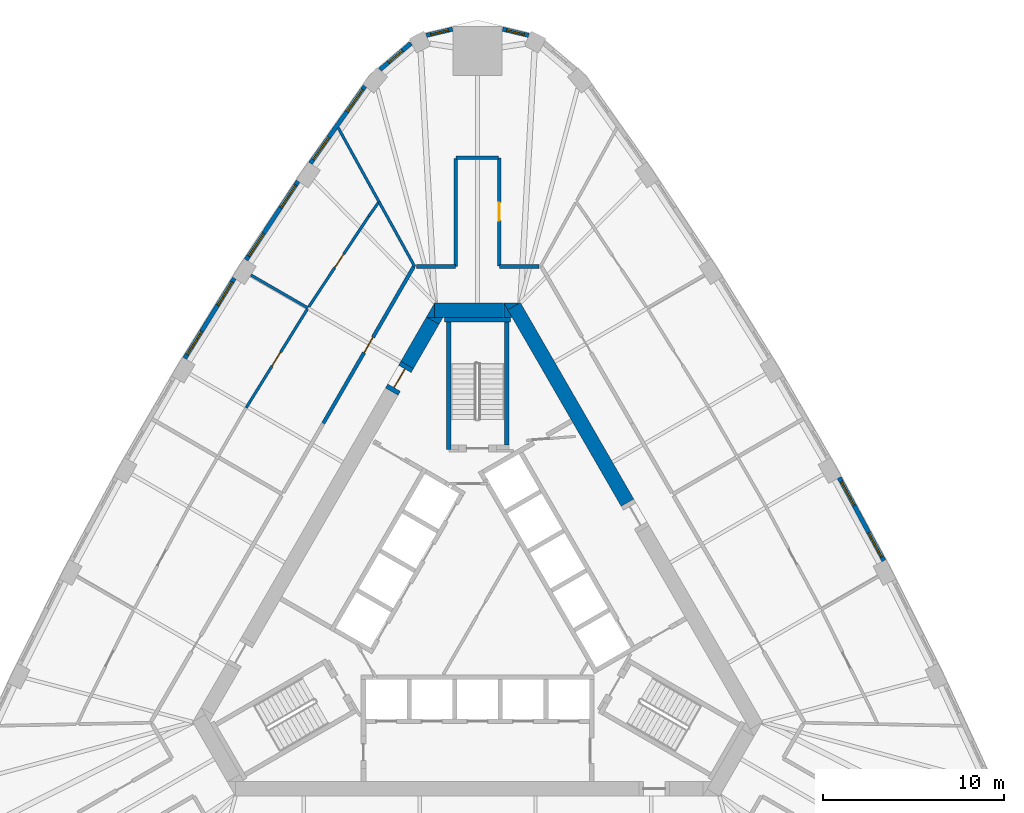
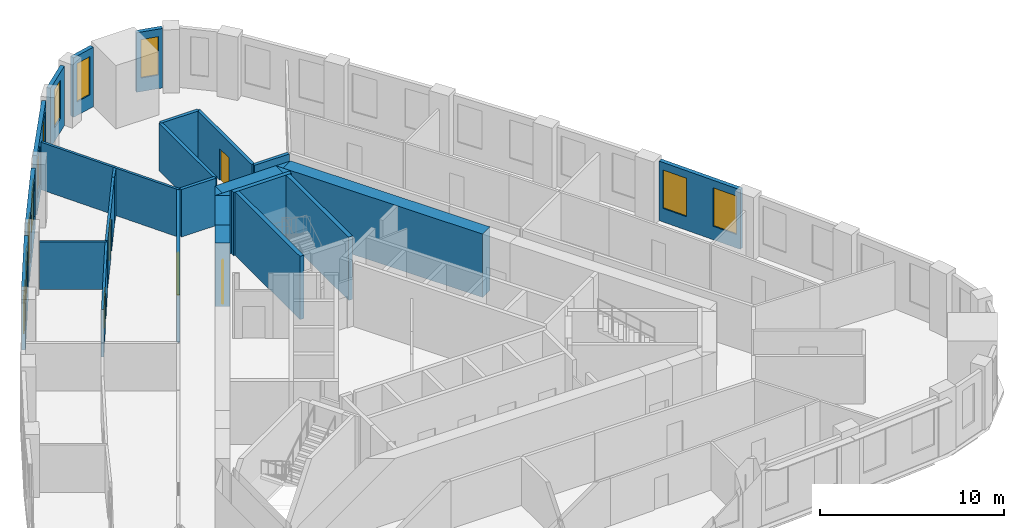
# One storey, part 8 of 10: 30 walls, 11 windows, 5 doors, 16 openings.
"""IFC4 building model written with IfcOpenShell, lengths in metres."""

from ifc_helpers import new_model, si_unit, direction, frame, frame_2d, origin, place, context, subcontext, project, spatial, polyline, rectangle, outline, extrude, material, layer, layer_set, type_object, element, fill, save


model = new_model("IFC4")

# Units and contexts
model_context = context("Model", 3, precision=1e-05, world=origin(), true_north=direction((0.0, 1.0)))
body_context = subcontext(model_context, "Body", "Model", "MODEL_VIEW")
ifc_project = project(units=[si_unit("LENGTHUNIT", "METRE"), si_unit("AREAUNIT", "SQUARE_METRE"), si_unit("VOLUMEUNIT", "CUBIC_METRE"), si_unit("PLANEANGLEUNIT", "RADIAN"), si_unit("MASSUNIT", "GRAM", prefix="KILO")], contexts=[model_context])

# Site, building, storey
site_placement = place(None, origin())
site = spatial("IfcSite", under=ifc_project, at=site_placement, CompositionType="ELEMENT")
building_placement = place(site_placement, origin())
building = spatial("IfcBuilding", under=site, at=building_placement, Name="Mestral Congress Tower", CompositionType="ELEMENT")
storey_placement = place(building_placement, frame((0.0, 0.0, 154.199951171875)))
storey = spatial("IfcBuildingStorey", under=building, at=storey_placement, Name="L36", CompositionType="ELEMENT", Elevation=154.199951171875)

# Walls
ifc_material_1 = material(Name="Concrete C60/75", Category="concrete")
ifc_layer_1 = layer(ifc_material_1, 0.800048828125)
ifc_layer_set_1 = layer_set([ifc_layer_1], Name="Concrete C60/75")
wall_type_1 = type_object("IfcWallType", Name="Core wall RC 800", PredefinedType="SOLIDWALL", material=ifc_layer_set_1)
wall_1_placement = place(storey_placement, frame((8.278564453125, 5.76123046875, 0.0), z_axis=(0.0, 0.0, 1.0), x_axis=(-0.500010359015, 0.866019422922, 0.0)))
element("IfcWall", 1, at=wall_1_placement, inside=storey, type_object=wall_type_1, Name="L36 core wall", PredefinedType="SOLIDWALL", context=body_context, shape_type="SweptSolid", body=[
    extrude(rectangle(XDim=12.527587890625, YDim=0.800048828125, at=frame_2d((6.263671875, 0.0))), origin(), (0.0, 0.0, 1.0), 4.199951171875),
])
placement = place(storey_placement, origin())
element("IfcWall", 2, at=placement, inside=storey, type_object=wall_type_1, Name="L36 core wall", PredefinedType="SOLIDWALL", context=body_context, shape_type="SweptSolid", body=[
    extrude(outline(polyline([(1.443359375, 16.800048828125), (2.33935546875, 16.800048828125), (1.667236328125, 16.412109375), (1.443359375, 16.800048828125)])), origin(), (0.0, 0.0, 1.0), 4.199951171875),
])
wall_3_placement = place(storey_placement, frame((-2.37890625, 16.39990234375, 0.0), z_axis=(0.0, 0.0, 1.0), x_axis=(1.0, 0.0, 0.0)))
element("IfcWall", 3, at=wall_3_placement, inside=storey, type_object=wall_type_1, Name="L36 core wall", PredefinedType="SOLIDWALL", context=body_context, shape_type="SweptSolid", body=[
    extrude(rectangle(XDim=3.82421875, YDim=0.800048828125, at=frame_2d((1.912109375, 0.0))), origin(), (0.0, 0.0, 1.0), 4.199951171875),
])
element("IfcWall", 4, at=placement, inside=storey, type_object=wall_type_1, Name="L36 core wall", PredefinedType="SOLIDWALL", context=body_context, shape_type="SweptSolid", body=[
    extrude(outline(polyline([(1.9052734375, 16.0), (1.447265625, 16.0), (1.447265625, 16.793212890625), (1.9052734375, 16.0)])), origin(), (0.0, 0.0, 1.0), 4.199951171875),
])
element("IfcWall", 5, at=placement, inside=storey, type_object=wall_type_1, Name="L36 core wall", PredefinedType="SOLIDWALL", context=body_context, shape_type="SweptSolid", body=[
    extrude(outline(polyline([(-2.8291015625, 16.0), (-2.381103515625, 16.77587890625), (-2.381103515625, 16.0), (-2.8291015625, 16.0)])), origin(), (0.0, 0.0, 1.0), 4.199951171875),
])
wall_6_placement = place(storey_placement, frame((-2.476806640625, 15.810302734375, 0.0), z_axis=(0.0, 0.0, 1.0), x_axis=(-0.499969377405, -0.866043083026, 0.0)))
element("IfcWall", 6, at=wall_6_placement, inside=storey, type_object=wall_type_1, Name="L36 core wall", PredefinedType="SOLIDWALL", context=body_context, shape_type="SweptSolid", body=[
    extrude(rectangle(XDim=2.824462890625, YDim=0.800048828125, at=frame_2d((1.412109375, 0.0))), origin(), (0.0, 0.0, 1.0), 4.199951171875),
])
element("IfcWall", 7, at=placement, inside=storey, type_object=wall_type_1, Name="L36 core wall", PredefinedType="SOLIDWALL", context=body_context, shape_type="SweptSolid", body=[
    extrude(outline(polyline([(-1.9052734375, 16.0), (-2.12939453125, 15.612060546875), (-2.80126953125, 16.0), (-1.9052734375, 16.0)])), origin(), (0.0, 0.0, 1.0), 4.199951171875),
])

# Wall, opening, door
wall_8_placement = place(storey_placement, frame((-4.739013671875, 11.89208984375, 0.0), z_axis=(0.0, 0.0, 1.0), x_axis=(0.500062241894, 0.865989465428, 0.0)))
wall_8 = element("IfcWall", 8, at=wall_8_placement, inside=storey, type_object=wall_type_1, Name="L36 door wall", PredefinedType="SOLIDWALL", context=body_context, shape_type="SweptSolid", body=[
    extrude(rectangle(XDim=1.699951171875, YDim=0.800048828125, at=frame_2d((0.85009765625, 0.0))), origin(), (0.0, 0.0, 1.0), 4.199951171875),
])
opening_1_placement = place(wall_8_placement, frame((0.25, 0.0, 0.0)))
opening_1 = element("IfcOpeningElement", 9, at=opening_1_placement, cuts=wall_8, Name="Opening XD2", PredefinedType="OPENING", context=body_context, shape_type="SweptSolid", body=[
    extrude(rectangle(XDim=1.199951171875, YDim=2.10009765625, at=frame_2d((0.60009765625, 1.050048828125))), frame((0.0, 0.409912109375, 0.0), z_axis=(0.0, -1.0, 0.0), x_axis=(1.0, 0.0, 0.0)), (0.0, 0.0, 1.0), 0.820068359375),
])
ifc_material_2 = material(Name="Fire-rated steel door set", Category="steel")
door_type_1 = type_object("IfcDoorType", Name="Core door XD 1200x2100", OperationType="SINGLE_SWING_LEFT", PredefinedType="DOOR", material=ifc_material_2)
door_1_placement = place(opening_1_placement, origin())
door_1 = element("IfcDoor", 10, at=door_1_placement, inside=storey, type_object=door_type_1, Name="Door XD2", OperationType="SINGLE_SWING_LEFT", OverallHeight=2.10009765625, OverallWidth=1.199951171875, PredefinedType="DOOR", context=body_context, shape_type="SweptSolid", body=[
    extrude(rectangle(XDim=1.199951171875, YDim=2.10009765625, at=frame_2d((0.60009765625, 1.050048828125))), frame((0.0, 0.02490234375, 0.0), z_axis=(0.0, -1.0, 0.0), x_axis=(1.0, 0.0, 0.0)), (0.0, 0.0, 1.0), 0.050048828125),
])
fill(opening_1, door_1)

# Wall, openings, windows
ifc_material_3 = material(Name="Precast concrete C40/50 with limestone facing", Category="masonry")
ifc_layer_2 = layer(ifc_material_3, 0.239990234375)
ifc_layer_set_2 = layer_set([ifc_layer_2], Name="Precast concrete C40/50 with limestone facing")
wall_type_2 = type_object("IfcWallType", Name="Facade stone wall 240", PredefinedType="SOLIDWALL", material=ifc_layer_set_2)
wall_9_placement = place(storey_placement, frame((22.43994140625, 2.554931640625, 0.0), z_axis=(0.0, 0.0, 1.0), x_axis=(-0.473349833294, 0.880874528704, 0.0)))
wall_9 = element("IfcWall", 11, at=wall_9_placement, inside=storey, type_object=wall_type_2, Name="Facade wall F1-02", PredefinedType="SOLIDWALL", context=body_context, shape_type="SweptSolid", body=[
    extrude(rectangle(XDim=5.20361328125, YDim=0.239990234375, at=frame_2d((2.601806640625, 0.0))), origin(), (0.0, 0.0, 1.0), 3.949951171875),
])
opening_2_placement = place(wall_9_placement, frame((0.248291015625, 0.0, 0.89990234375)))
opening_2 = element("IfcOpeningElement", 12, at=opening_2_placement, cuts=wall_9, Name="Opening W4", PredefinedType="OPENING", context=body_context, shape_type="SweptSolid", body=[
    extrude(rectangle(XDim=1.5, YDim=2.550048828125, at=frame_2d((0.75, 1.27490234375))), frame((0.0, 0.1298828125, 0.0), z_axis=(0.0, -1.0, 0.0), x_axis=(1.0, 0.0, 0.0)), (0.0, 0.0, 1.0), 0.260009765625),
])
opening_3_placement = place(wall_9_placement, frame((3.455078125, 0.0, 0.89990234375)))
opening_3 = element("IfcOpeningElement", 13, at=opening_3_placement, cuts=wall_9, Name="Opening W4", PredefinedType="OPENING", context=body_context, shape_type="SweptSolid", body=[
    extrude(rectangle(XDim=1.5, YDim=2.550048828125, at=frame_2d((0.75, 1.27490234375))), frame((0.0, 0.1298828125, 0.0), z_axis=(0.0, -1.0, 0.0), x_axis=(1.0, 0.0, 0.0)), (0.0, 0.0, 1.0), 0.260009765625),
])
ifc_material_4 = material(Name="Clear low-emissivity double glazing", Category="glass")
window_type_1 = type_object("IfcWindowType", Name="Facade punched window 1500 x 2550 sill 900", PartitioningType="SINGLE_PANEL", PredefinedType="WINDOW", material=ifc_material_4)
window_1_placement = place(opening_2_placement, origin())
window_1 = element("IfcWindow", 14, at=window_1_placement, inside=storey, type_object=window_type_1, Name="Window F1-02a", OverallHeight=2.550048828125, OverallWidth=1.5, PartitioningType="SINGLE_PANEL", PredefinedType="WINDOW", context=body_context, shape_type="SweptSolid", body=[
    extrude(rectangle(XDim=1.5, YDim=2.550048828125, at=frame_2d((0.75, 1.27490234375))), frame((0.0, 0.0400390625, 0.0), z_axis=(0.0, -1.0, 0.0), x_axis=(1.0, 0.0, 0.0)), (0.0, 0.0, 1.0), 0.06005859375),
])
fill(opening_2, window_1)
window_2_placement = place(opening_3_placement, origin())
window_2 = element("IfcWindow", 15, at=window_2_placement, inside=storey, type_object=window_type_1, Name="Window F1-02b", OverallHeight=2.550048828125, OverallWidth=1.5, PartitioningType="SINGLE_PANEL", PredefinedType="WINDOW", context=body_context, shape_type="SweptSolid", body=[
    extrude(rectangle(XDim=1.5, YDim=2.550048828125, at=frame_2d((0.75, 1.27490234375))), frame((0.0, 0.0400390625, 0.0), z_axis=(0.0, -1.0, 0.0), x_axis=(1.0, 0.0, 0.0)), (0.0, 0.0, 1.0), 0.06005859375),
])
fill(opening_3, window_2)

# Wall, opening, window
wall_10_placement = place(storey_placement, frame((2.821044921875, 31.56640625, 0.0), z_axis=(0.0, 0.0, 1.0), x_axis=(-0.972479955788, 0.232986556673, 0.0)))
wall_10 = element("IfcWall", 16, at=wall_10_placement, inside=storey, type_object=wall_type_2, Name="Facade wall K1-1", PredefinedType="SOLIDWALL", context=body_context, shape_type="SweptSolid", body=[
    extrude(rectangle(XDim=1.481689453125, YDim=0.239990234375, at=frame_2d((0.74072265625, 0.0))), origin(), (0.0, 0.0, 1.0), 3.949951171875),
])
opening_4_placement = place(wall_10_placement, frame((0.24072265625, 0.0, 0.89990234375)))
opening_4 = element("IfcOpeningElement", 17, at=opening_4_placement, cuts=wall_10, Name="Opening W5", PredefinedType="OPENING", context=body_context, shape_type="SweptSolid", body=[
    extrude(rectangle(XDim=1.0, YDim=2.550048828125, at=frame_2d((0.5, 1.27490234375))), frame((0.0, 0.1298828125, 0.0), z_axis=(0.0, -1.0, 0.0), x_axis=(1.0, 0.0, 0.0)), (0.0, 0.0, 1.0), 0.260009765625),
])
window_type_2 = type_object("IfcWindowType", Name="Facade punched window 1000 x 2550 sill 900", PartitioningType="SINGLE_PANEL", PredefinedType="WINDOW", material=ifc_material_4)
window_3_placement = place(opening_4_placement, origin())
window_3 = element("IfcWindow", 18, at=window_3_placement, inside=storey, type_object=window_type_2, Name="Window K1-1", OverallHeight=2.550048828125, OverallWidth=1.0, PartitioningType="SINGLE_PANEL", PredefinedType="WINDOW", context=body_context, shape_type="SweptSolid", body=[
    extrude(rectangle(XDim=1.0, YDim=2.550048828125, at=frame_2d((0.5, 1.27490234375))), frame((0.0, 0.0400390625, 0.0), z_axis=(0.0, -1.0, 0.0), x_axis=(1.0, 0.0, 0.0)), (0.0, 0.0, 1.0), 0.06005859375),
])
fill(opening_4, window_3)

wall_11_placement = place(storey_placement, frame((-1.380126953125, 31.91162109375, 0.0), z_axis=(0.0, 0.0, 1.0), x_axis=(-0.972479955788, -0.232986556673, 0.0)))
wall_11 = element("IfcWall", 19, at=wall_11_placement, inside=storey, type_object=wall_type_2, Name="Facade wall K1-2", PredefinedType="SOLIDWALL", context=body_context, shape_type="SweptSolid", body=[
    extrude(rectangle(XDim=1.481689453125, YDim=0.239990234375, at=frame_2d((0.74072265625, 0.0))), origin(), (0.0, 0.0, 1.0), 3.949951171875),
])
opening_5_placement = place(wall_11_placement, frame((0.24072265625, 0.0, 0.89990234375)))
opening_5 = element("IfcOpeningElement", 20, at=opening_5_placement, cuts=wall_11, Name="Opening W5", PredefinedType="OPENING", context=body_context, shape_type="SweptSolid", body=[
    extrude(rectangle(XDim=1.0, YDim=2.550048828125, at=frame_2d((0.5, 1.27490234375))), frame((0.0, 0.1298828125, 0.0), z_axis=(0.0, -1.0, 0.0), x_axis=(1.0, 0.0, 0.0)), (0.0, 0.0, 1.0), 0.260009765625),
])
window_4_placement = place(opening_5_placement, origin())
window_4 = element("IfcWindow", 21, at=window_4_placement, inside=storey, type_object=window_type_2, Name="Window K1-2", OverallHeight=2.550048828125, OverallWidth=1.0, PartitioningType="SINGLE_PANEL", PredefinedType="WINDOW", context=body_context, shape_type="SweptSolid", body=[
    extrude(rectangle(XDim=1.0, YDim=2.550048828125, at=frame_2d((0.5, 1.27490234375))), frame((0.0, 0.0400390625, 0.0), z_axis=(0.0, -1.0, 0.0), x_axis=(1.0, 0.0, 0.0)), (0.0, 0.0, 1.0), 0.06005859375),
])
fill(opening_5, window_4)

wall_12_placement = place(storey_placement, frame((-3.67822265625, 31.130859375, 0.0), z_axis=(0.0, 0.0, 1.0), x_axis=(-0.761419744247, -0.648259186645, 0.0)))
wall_12 = element("IfcWall", 22, at=wall_12_placement, inside=storey, type_object=wall_type_2, Name="Facade wall K1-3", PredefinedType="SOLIDWALL", context=body_context, shape_type="SweptSolid", body=[
    extrude(rectangle(XDim=2.250244140625, YDim=0.239990234375, at=frame_2d((1.125, 0.0))), origin(), (0.0, 0.0, 1.0), 3.949951171875),
])
opening_6_placement = place(wall_12_placement, frame((0.625244140625, 0.0, 0.89990234375)))
opening_6 = element("IfcOpeningElement", 23, at=opening_6_placement, cuts=wall_12, Name="Opening W5", PredefinedType="OPENING", context=body_context, shape_type="SweptSolid", body=[
    extrude(rectangle(XDim=1.0, YDim=2.550048828125, at=frame_2d((0.5, 1.27490234375))), frame((0.0, 0.1298828125, 0.0), z_axis=(0.0, -1.0, 0.0), x_axis=(1.0, 0.0, 0.0)), (0.0, 0.0, 1.0), 0.260009765625),
])
window_5_placement = place(opening_6_placement, origin())
window_5 = element("IfcWindow", 24, at=window_5_placement, inside=storey, type_object=window_type_2, Name="Window K1-3", OverallHeight=2.550048828125, OverallWidth=1.0, PartitioningType="SINGLE_PANEL", PredefinedType="WINDOW", context=body_context, shape_type="SweptSolid", body=[
    extrude(rectangle(XDim=1.0, YDim=2.550048828125, at=frame_2d((0.5, 1.27490234375))), frame((0.0, 0.0400390625, 0.0), z_axis=(0.0, -1.0, 0.0), x_axis=(1.0, 0.0, 0.0)), (0.0, 0.0, 1.0), 0.06005859375),
])
fill(opening_6, window_5)

# Wall, openings, windows
wall_13_placement = place(storey_placement, frame((-6.22265625, 28.76171875, 0.0), z_axis=(0.0, 0.0, 1.0), x_axis=(-0.577115207679, -0.816662743772, 0.0)))
wall_13 = element("IfcWall", 25, at=wall_13_placement, inside=storey, type_object=wall_type_2, Name="Facade wall F2-00", PredefinedType="SOLIDWALL", context=body_context, shape_type="SweptSolid", body=[
    extrude(rectangle(XDim=5.213134765625, YDim=0.239990234375, at=frame_2d((2.6064453125, 0.0))), origin(), (0.0, 0.0, 1.0), 3.949951171875),
])
opening_7_placement = place(wall_13_placement, frame((0.220703125, 0.0, 0.89990234375)))
opening_7 = element("IfcOpeningElement", 26, at=opening_7_placement, cuts=wall_13, Name="Opening W4", PredefinedType="OPENING", context=body_context, shape_type="SweptSolid", body=[
    extrude(rectangle(XDim=1.5, YDim=2.550048828125, at=frame_2d((0.75, 1.27490234375))), frame((0.0, 0.1298828125, 0.0), z_axis=(0.0, -1.0, 0.0), x_axis=(1.0, 0.0, 0.0)), (0.0, 0.0, 1.0), 0.260009765625),
])
opening_8_placement = place(wall_13_placement, frame((3.452392578125, 0.0, 0.89990234375)))
opening_8 = element("IfcOpeningElement", 27, at=opening_8_placement, cuts=wall_13, Name="Opening W4", PredefinedType="OPENING", context=body_context, shape_type="SweptSolid", body=[
    extrude(rectangle(XDim=1.5, YDim=2.550048828125, at=frame_2d((0.75, 1.27490234375))), frame((0.0, 0.1298828125, 0.0), z_axis=(0.0, -1.0, 0.0), x_axis=(1.0, 0.0, 0.0)), (0.0, 0.0, 1.0), 0.260009765625),
])
window_6_placement = place(opening_7_placement, origin())
window_6 = element("IfcWindow", 28, at=window_6_placement, inside=storey, type_object=window_type_1, Name="Window F2-00a", OverallHeight=2.550048828125, OverallWidth=1.5, PartitioningType="SINGLE_PANEL", PredefinedType="WINDOW", context=body_context, shape_type="SweptSolid", body=[
    extrude(rectangle(XDim=1.5, YDim=2.550048828125, at=frame_2d((0.75, 1.27490234375))), frame((0.0, 0.0400390625, 0.0), z_axis=(0.0, -1.0, 0.0), x_axis=(1.0, 0.0, 0.0)), (0.0, 0.0, 1.0), 0.06005859375),
])
fill(opening_7, window_6)
window_7_placement = place(opening_8_placement, origin())
window_7 = element("IfcWindow", 29, at=window_7_placement, inside=storey, type_object=window_type_1, Name="Window F2-00b", OverallHeight=2.550048828125, OverallWidth=1.5, PartitioningType="SINGLE_PANEL", PredefinedType="WINDOW", context=body_context, shape_type="SweptSolid", body=[
    extrude(rectangle(XDim=1.5, YDim=2.550048828125, at=frame_2d((0.75, 1.27490234375))), frame((0.0, 0.0400390625, 0.0), z_axis=(0.0, -1.0, 0.0), x_axis=(1.0, 0.0, 0.0)), (0.0, 0.0, 1.0), 0.06005859375),
])
fill(opening_8, window_7)

wall_14_placement = place(storey_placement, frame((-9.911376953125, 23.510009765625, 0.0), z_axis=(0.0, 0.0, 1.0), x_axis=(-0.551892811511, -0.833915058386, 0.0)))
wall_14 = element("IfcWall", 30, at=wall_14_placement, inside=storey, type_object=wall_type_2, Name="Facade wall F2-01", PredefinedType="SOLIDWALL", context=body_context, shape_type="SweptSolid", body=[
    extrude(rectangle(XDim=5.20361328125, YDim=0.239990234375, at=frame_2d((2.601806640625, 0.0))), origin(), (0.0, 0.0, 1.0), 3.949951171875),
])
opening_9_placement = place(wall_14_placement, frame((0.248291015625, 0.0, 0.89990234375)))
opening_9 = element("IfcOpeningElement", 31, at=opening_9_placement, cuts=wall_14, Name="Opening W4", PredefinedType="OPENING", context=body_context, shape_type="SweptSolid", body=[
    extrude(rectangle(XDim=1.5, YDim=2.550048828125, at=frame_2d((0.75, 1.27490234375))), frame((0.0, 0.1298828125, 0.0), z_axis=(0.0, -1.0, 0.0), x_axis=(1.0, 0.0, 0.0)), (0.0, 0.0, 1.0), 0.260009765625),
])
opening_10_placement = place(wall_14_placement, frame((3.455078125, 0.0, 0.89990234375)))
opening_10 = element("IfcOpeningElement", 32, at=opening_10_placement, cuts=wall_14, Name="Opening W4", PredefinedType="OPENING", context=body_context, shape_type="SweptSolid", body=[
    extrude(rectangle(XDim=1.5, YDim=2.550048828125, at=frame_2d((0.75, 1.27490234375))), frame((0.0, 0.1298828125, 0.0), z_axis=(0.0, -1.0, 0.0), x_axis=(1.0, 0.0, 0.0)), (0.0, 0.0, 1.0), 0.260009765625),
])
window_8_placement = place(opening_9_placement, origin())
window_8 = element("IfcWindow", 33, at=window_8_placement, inside=storey, type_object=window_type_1, Name="Window F2-01a", OverallHeight=2.550048828125, OverallWidth=1.5, PartitioningType="SINGLE_PANEL", PredefinedType="WINDOW", context=body_context, shape_type="SweptSolid", body=[
    extrude(rectangle(XDim=1.5, YDim=2.550048828125, at=frame_2d((0.75, 1.27490234375))), frame((0.0, 0.0400390625, 0.0), z_axis=(0.0, -1.0, 0.0), x_axis=(1.0, 0.0, 0.0)), (0.0, 0.0, 1.0), 0.06005859375),
])
fill(opening_9, window_8)
window_9_placement = place(opening_10_placement, origin())
window_9 = element("IfcWindow", 34, at=window_9_placement, inside=storey, type_object=window_type_1, Name="Window F2-01b", OverallHeight=2.550048828125, OverallWidth=1.5, PartitioningType="SINGLE_PANEL", PredefinedType="WINDOW", context=body_context, shape_type="SweptSolid", body=[
    extrude(rectangle(XDim=1.5, YDim=2.550048828125, at=frame_2d((0.75, 1.27490234375))), frame((0.0, 0.0400390625, 0.0), z_axis=(0.0, -1.0, 0.0), x_axis=(1.0, 0.0, 0.0)), (0.0, 0.0, 1.0), 0.06005859375),
])
fill(opening_10, window_9)

wall_15_placement = place(storey_placement, frame((-13.4326171875, 18.156005859375, 0.0), z_axis=(0.0, 0.0, 1.0), x_axis=(-0.526197926587, -0.850362124072, 0.0)))
wall_15 = element("IfcWall", 35, at=wall_15_placement, inside=storey, type_object=wall_type_2, Name="Facade wall F2-02", PredefinedType="SOLIDWALL", context=body_context, shape_type="SweptSolid", body=[
    extrude(rectangle(XDim=5.203369140625, YDim=0.239990234375, at=frame_2d((2.6015625, 0.0))), origin(), (0.0, 0.0, 1.0), 3.949951171875),
])
opening_11_placement = place(wall_15_placement, frame((0.248291015625, 0.0, 0.89990234375)))
opening_11 = element("IfcOpeningElement", 36, at=opening_11_placement, cuts=wall_15, Name="Opening W4", PredefinedType="OPENING", context=body_context, shape_type="SweptSolid", body=[
    extrude(rectangle(XDim=1.5, YDim=2.550048828125, at=frame_2d((0.75, 1.27490234375))), frame((0.0, 0.1298828125, 0.0), z_axis=(0.0, -1.0, 0.0), x_axis=(1.0, 0.0, 0.0)), (0.0, 0.0, 1.0), 0.260009765625),
])
opening_12_placement = place(wall_15_placement, frame((3.455078125, 0.0, 0.89990234375)))
opening_12 = element("IfcOpeningElement", 37, at=opening_12_placement, cuts=wall_15, Name="Opening W4", PredefinedType="OPENING", context=body_context, shape_type="SweptSolid", body=[
    extrude(rectangle(XDim=1.5, YDim=2.550048828125, at=frame_2d((0.75, 1.27490234375))), frame((0.0, 0.1298828125, 0.0), z_axis=(0.0, -1.0, 0.0), x_axis=(1.0, 0.0, 0.0)), (0.0, 0.0, 1.0), 0.260009765625),
])
window_10_placement = place(opening_11_placement, origin())
window_10 = element("IfcWindow", 38, at=window_10_placement, inside=storey, type_object=window_type_1, Name="Window F2-02a", OverallHeight=2.550048828125, OverallWidth=1.5, PartitioningType="SINGLE_PANEL", PredefinedType="WINDOW", context=body_context, shape_type="SweptSolid", body=[
    extrude(rectangle(XDim=1.5, YDim=2.550048828125, at=frame_2d((0.75, 1.27490234375))), frame((0.0, 0.0400390625, 0.0), z_axis=(0.0, -1.0, 0.0), x_axis=(1.0, 0.0, 0.0)), (0.0, 0.0, 1.0), 0.06005859375),
])
fill(opening_11, window_10)
window_11_placement = place(opening_12_placement, origin())
window_11 = element("IfcWindow", 39, at=window_11_placement, inside=storey, type_object=window_type_1, Name="Window F2-02b", OverallHeight=2.550048828125, OverallWidth=1.5, PartitioningType="SINGLE_PANEL", PredefinedType="WINDOW", context=body_context, shape_type="SweptSolid", body=[
    extrude(rectangle(XDim=1.5, YDim=2.550048828125, at=frame_2d((0.75, 1.27490234375))), frame((0.0, 0.0400390625, 0.0), z_axis=(0.0, -1.0, 0.0), x_axis=(1.0, 0.0, 0.0)), (0.0, 0.0, 1.0), 0.06005859375),
])
fill(opening_12, window_11)

# Walls
ifc_material_5 = material(Name="Plasterboard partition on steel studs", Category="steel")
ifc_layer_3 = layer(ifc_material_5, 0.14990234375)
ifc_layer_set_3 = layer_set([ifc_layer_3], Name="Plasterboard partition on steel studs")
wall_type_3 = type_object("IfcWallType", Name="Office partition 150", PredefinedType="PARTITIONING", material=ifc_layer_set_3)
wall_16_placement = place(storey_placement, frame((-5.44189453125, 22.3740234375, 0.0), z_axis=(0.0, 0.0, 1.0), x_axis=(-0.482987550425, 0.875627218703, 0.0)))
element("IfcWall", 40, at=wall_16_placement, inside=storey, type_object=wall_type_3, Name="Partition", PredefinedType="PARTITIONING", context=body_context, shape_type="SweptSolid", body=[
    extrude(rectangle(XDim=4.672119140625, YDim=0.14990234375, at=frame_2d((2.3359375, 0.0))), origin(), (0.0, 0.0, 1.0), 3.150146484375),
])
wall_17_placement = place(storey_placement, frame((-3.470458984375, 18.800048828125, 0.0), z_axis=(0.0, 0.0, 1.0), x_axis=(-0.482974768035, 0.875634269225, 0.0)))
element("IfcWall", 41, at=wall_17_placement, inside=storey, type_object=wall_type_3, Name="Partition", PredefinedType="PARTITIONING", context=body_context, shape_type="SweptSolid", body=[
    extrude(rectangle(XDim=4.08984375, YDim=0.14990234375, at=frame_2d((2.044921875, 0.0))), origin(), (0.0, 0.0, 1.0), 3.150146484375),
])
wall_18_placement = place(storey_placement, frame((-9.363037109375, 16.5107421875, 0.0), z_axis=(0.0, 0.0, 1.0), x_axis=(-0.866006134298, 0.500033374244, 0.0)))
element("IfcWall", 42, at=wall_18_placement, inside=storey, type_object=wall_type_3, Name="Partition", PredefinedType="PARTITIONING", context=body_context, shape_type="SweptSolid", body=[
    extrude(rectangle(XDim=3.647705078125, YDim=0.14990234375, at=frame_2d((1.82373046875, 0.0))), origin(), (0.0, 0.0, 1.0), 3.150146484375),
])
wall_19_placement = place(storey_placement, frame((-5.4921875, 22.309814453125, 0.0), z_axis=(0.0, 0.0, 1.0), x_axis=(-0.576980663571, -0.816757806124, 0.0)))
element("IfcWall", 43, at=wall_19_placement, inside=storey, type_object=wall_type_3, Name="Partition", PredefinedType="PARTITIONING", context=body_context, shape_type="SweptSolid", body=[
    extrude(rectangle(XDim=0.902099609375, YDim=0.14990234375, at=frame_2d((0.451171875, 0.0))), origin(), (0.0, 0.0, 1.0), 3.150146484375),
])

# Wall, opening, door
wall_20_placement = place(storey_placement, frame((-9.321533203125, 16.573486328125, 0.0), z_axis=(0.0, 0.0, 1.0), x_axis=(0.551906048292, 0.833906298009, 0.0)))
wall_20 = element("IfcWall", 44, at=wall_20_placement, inside=storey, type_object=wall_type_3, Name="Partition", PredefinedType="PARTITIONING", context=body_context, shape_type="SweptSolid", body=[
    extrude(rectangle(XDim=5.995361328125, YDim=0.14990234375, at=frame_2d((2.99755859375, 0.0))), origin(), (0.0, 0.0, 1.0), 3.150146484375),
])
opening_13_placement = place(wall_20_placement, frame((2.595458984375, 0.0, 0.0)))
opening_13 = element("IfcOpeningElement", 45, at=opening_13_placement, cuts=wall_20, Name="Opening O02-012", PredefinedType="OPENING", context=body_context, shape_type="SweptSolid", body=[
    extrude(rectangle(XDim=0.89990234375, YDim=2.10009765625, at=frame_2d((0.449951171875, 1.050048828125))), frame((0.0, 0.0849609375, 0.0), z_axis=(0.0, -1.0, 0.0), x_axis=(1.0, 0.0, 0.0)), (0.0, 0.0, 1.0), 0.169921875),
])
ifc_material_6 = material(Name="Timber door set", Category="wood")
door_type_2 = type_object("IfcDoorType", Name="Office door 900x2100", OperationType="SINGLE_SWING_LEFT", PredefinedType="DOOR", material=ifc_material_6)
door_2_placement = place(opening_13_placement, origin())
door_2 = element("IfcDoor", 46, at=door_2_placement, inside=storey, type_object=door_type_2, Name="Door O02-012", OperationType="SINGLE_SWING_RIGHT", OverallHeight=2.10009765625, OverallWidth=0.89990234375, PredefinedType="DOOR", context=body_context, shape_type="SweptSolid", body=[
    extrude(rectangle(XDim=0.89990234375, YDim=2.10009765625, at=frame_2d((0.449951171875, 1.050048828125))), frame((0.0, 0.02490234375, 0.0), z_axis=(0.0, -1.0, 0.0), x_axis=(1.0, 0.0, 0.0)), (0.0, 0.0, 1.0), 0.050048828125),
])
fill(opening_13, door_2)

wall_21_placement = place(storey_placement, frame((-12.779296875, 11.001953125, 0.0), z_axis=(0.0, 0.0, 1.0), x_axis=(0.527026092571, 0.849849102929, 0.0)))
wall_21 = element("IfcWall", 47, at=wall_21_placement, inside=storey, type_object=wall_type_3, Name="Partition", PredefinedType="PARTITIONING", context=body_context, shape_type="SweptSolid", body=[
    extrude(rectangle(XDim=6.406982421875, YDim=0.14990234375, at=frame_2d((3.20361328125, 0.0))), origin(), (0.0, 0.0, 1.0), 3.150146484375),
])
opening_14_placement = place(wall_21_placement, frame((2.707275390625, 0.0, 0.0)))
opening_14 = element("IfcOpeningElement", 48, at=opening_14_placement, cuts=wall_21, Name="Opening O02-013", PredefinedType="OPENING", context=body_context, shape_type="SweptSolid", body=[
    extrude(rectangle(XDim=0.89990234375, YDim=2.10009765625, at=frame_2d((0.449951171875, 1.050048828125))), frame((0.0, 0.0849609375, 0.0), z_axis=(0.0, -1.0, 0.0), x_axis=(1.0, 0.0, 0.0)), (0.0, 0.0, 1.0), 0.169921875),
])
door_3_placement = place(opening_14_placement, origin())
door_3 = element("IfcDoor", 49, at=door_3_placement, inside=storey, type_object=door_type_2, Name="Door O02-013", OperationType="SINGLE_SWING_LEFT", OverallHeight=2.10009765625, OverallWidth=0.89990234375, PredefinedType="DOOR", context=body_context, shape_type="SweptSolid", body=[
    extrude(rectangle(XDim=0.89990234375, YDim=2.10009765625, at=frame_2d((0.449951171875, 1.050048828125))), frame((0.0, 0.02490234375, 0.0), z_axis=(0.0, -1.0, 0.0), x_axis=(1.0, 0.0, 0.0)), (0.0, 0.0, 1.0), 0.050048828125),
])
fill(opening_14, door_3)

# Wall
ifc_material_7 = material(Name="Dense masonry wall, plastered", Category="masonry")
ifc_layer_4 = layer(ifc_material_7, 0.199951171875)
ifc_layer_set_4 = layer_set([ifc_layer_4], Name="Dense masonry wall, plastered")
wall_type_4 = type_object("IfcWallType", Name="Office tenancy wall 200", PredefinedType="PARTITIONING", material=ifc_layer_set_4)
wall_22_placement = place(storey_placement, frame((3.384765625, 18.800048828125, 0.0), z_axis=(0.0, 0.0, 1.0), x_axis=(-1.0, 0.0, 0.0)))
element("IfcWall", 50, at=wall_22_placement, inside=storey, type_object=wall_type_4, Name="Tenancy wall", PredefinedType="PARTITIONING", context=body_context, shape_type="SweptSolid", body=[
    extrude(rectangle(XDim=2.184814453125, YDim=0.199951171875, at=frame_2d((1.09228515625, 0.0))), origin(), (0.0, 0.0, 1.0), 3.150146484375),
])

# Wall, opening, door
wall_23_placement = place(storey_placement, frame((1.199951171875, 18.830078125, 0.0), z_axis=(0.0, 0.0, 1.0), x_axis=(0.0, 1.0, 0.0)))
wall_23 = element("IfcWall", 51, at=wall_23_placement, inside=storey, type_object=wall_type_4, Name="Tenancy wall", PredefinedType="PARTITIONING", context=body_context, shape_type="SweptSolid", body=[
    extrude(rectangle(XDim=5.969970703125, YDim=0.199951171875, at=frame_2d((2.98486328125, 0.0))), origin(), (0.0, 0.0, 1.0), 3.150146484375),
])
opening_15_placement = place(wall_23_placement, frame((2.5, 0.0, 0.0)))
opening_15 = element("IfcOpeningElement", 52, at=opening_15_placement, cuts=wall_23, Name="Opening O02-011", PredefinedType="OPENING", context=body_context, shape_type="SweptSolid", body=[
    extrude(rectangle(XDim=1.0, YDim=2.10009765625, at=frame_2d((0.5, 1.050048828125))), frame((0.0, 0.10986328125, 0.0), z_axis=(0.0, -1.0, 0.0), x_axis=(1.0, 0.0, 0.0)), (0.0, 0.0, 1.0), 0.219970703125),
])
ifc_material_8 = material(Name="Fire-rated timber door set", Category="wood")
door_type_3 = type_object("IfcDoorType", Name="Office tenancy entrance door 1000x2100", OperationType="SINGLE_SWING_LEFT", PredefinedType="DOOR", material=ifc_material_8)
door_4_placement = place(opening_15_placement, origin())
door_4 = element("IfcDoor", 53, at=door_4_placement, inside=storey, type_object=door_type_3, Name="Door O02-011", OperationType="SINGLE_SWING_RIGHT", OverallHeight=2.10009765625, OverallWidth=1.0, PredefinedType="DOOR", context=body_context, shape_type="SweptSolid", body=[
    extrude(rectangle(XDim=1.0, YDim=2.10009765625, at=frame_2d((0.5, 1.050048828125))), frame((0.0, 0.02490234375, 0.0), z_axis=(0.0, -1.0, 0.0), x_axis=(1.0, 0.0, 0.0)), (0.0, 0.0, 1.0), 0.050048828125),
])
fill(opening_15, door_4)

# Walls
wall_24_placement = place(storey_placement, frame((1.169921875, 24.800048828125, 0.0), z_axis=(0.0, 0.0, 1.0), x_axis=(-1.0, 0.0, 0.0)))
element("IfcWall", 54, at=wall_24_placement, inside=storey, type_object=wall_type_4, Name="Tenancy wall", PredefinedType="PARTITIONING", context=body_context, shape_type="SweptSolid", body=[
    extrude(rectangle(XDim=2.369873046875, YDim=0.199951171875, at=frame_2d((1.18505859375, 0.0))), origin(), (0.0, 0.0, 1.0), 3.150146484375),
])
wall_25_placement = place(storey_placement, frame((-1.199951171875, 24.77001953125, 0.0), z_axis=(0.0, 0.0, 1.0), x_axis=(0.0, -1.0, 0.0)))
element("IfcWall", 55, at=wall_25_placement, inside=storey, type_object=wall_type_4, Name="Tenancy wall", PredefinedType="PARTITIONING", context=body_context, shape_type="SweptSolid", body=[
    extrude(rectangle(XDim=5.969970703125, YDim=0.199951171875, at=frame_2d((2.98486328125, 0.0))), origin(), (0.0, 0.0, 1.0), 3.150146484375),
])
wall_26_placement = place(storey_placement, frame((-1.22998046875, 18.800048828125, 0.0), z_axis=(0.0, 0.0, 1.0), x_axis=(-1.0, 0.0, 0.0)))
element("IfcWall", 56, at=wall_26_placement, inside=storey, type_object=wall_type_4, Name="Tenancy wall", PredefinedType="PARTITIONING", context=body_context, shape_type="SweptSolid", body=[
    extrude(rectangle(XDim=2.15478515625, YDim=0.199951171875, at=frame_2d((1.077392578125, 0.0))), origin(), (0.0, 0.0, 1.0), 3.150146484375),
])

# Wall, opening, door
wall_27_placement = place(storey_placement, frame((-3.521728515625, 18.800048828125, 0.0), z_axis=(0.0, 0.0, 1.0), x_axis=(-0.500015783377, -0.866016291056, 0.0)))
wall_27 = element("IfcWall", 57, at=wall_27_placement, inside=storey, type_object=wall_type_4, Name="Tenancy wall", PredefinedType="PARTITIONING", context=body_context, shape_type="SweptSolid", body=[
    extrude(rectangle(XDim=9.990478515625, YDim=0.199951171875, at=frame_2d((4.9951171875, 0.0))), origin(), (0.0, 0.0, 1.0), 3.150146484375),
])
opening_16_placement = place(wall_27_placement, frame((4.5, 0.0, 0.0)))
opening_16 = element("IfcOpeningElement", 58, at=opening_16_placement, cuts=wall_27, Name="Opening O02-014", PredefinedType="OPENING", context=body_context, shape_type="SweptSolid", body=[
    extrude(rectangle(XDim=1.0, YDim=2.10009765625, at=frame_2d((0.5, 1.050048828125))), frame((0.0, 0.10986328125, 0.0), z_axis=(0.0, -1.0, 0.0), x_axis=(1.0, 0.0, 0.0)), (0.0, 0.0, 1.0), 0.219970703125),
])
door_5_placement = place(opening_16_placement, origin())
door_5 = element("IfcDoor", 59, at=door_5_placement, inside=storey, type_object=door_type_3, Name="Door O02-014", OperationType="SINGLE_SWING_RIGHT", OverallHeight=2.10009765625, OverallWidth=1.0, PredefinedType="DOOR", context=body_context, shape_type="SweptSolid", body=[
    extrude(rectangle(XDim=1.0, YDim=2.10009765625, at=frame_2d((0.5, 1.050048828125))), frame((0.0, 0.02490234375, 0.0), z_axis=(0.0, -1.0, 0.0), x_axis=(1.0, 0.0, 0.0)), (0.0, 0.0, 1.0), 0.050048828125),
])
fill(opening_16, door_5)

# Walls
ifc_layer_5 = layer(ifc_material_1, 0.25)
ifc_layer_set_5 = layer_set([ifc_layer_5], Name="Concrete C60/75")
wall_type_5 = type_object("IfcWallType", Name="Stair wall RC 250", PredefinedType="SOLIDWALL", material=ifc_layer_set_5)
wall_28_placement = place(storey_placement, frame((-1.81689453125, 15.875, 0.0), z_axis=(0.0, 0.0, 1.0), x_axis=(1.0, 0.0, 0.0)))
element("IfcWall", 60, at=wall_28_placement, inside=storey, type_object=wall_type_5, Name="L36 core wall", PredefinedType="SOLIDWALL", context=body_context, shape_type="SweptSolid", body=[
    extrude(rectangle(XDim=3.6337890625, YDim=0.25, at=frame_2d((1.81689453125, 0.0))), origin(), (0.0, 0.0, 1.0), 4.199951171875),
])
wall_29_placement = place(storey_placement, frame((1.60009765625, 8.949951171875, 0.0), z_axis=(0.0, 0.0, 1.0), x_axis=(0.0, 1.0, 0.0)))
element("IfcWall", 61, at=wall_29_placement, inside=storey, type_object=wall_type_5, Name="L36 core wall", PredefinedType="SOLIDWALL", context=body_context, shape_type="SweptSolid", body=[
    extrude(rectangle(XDim=6.800048828125, YDim=0.25, at=frame_2d((3.39990234375, 0.0))), origin(), (0.0, 0.0, 1.0), 4.199951171875),
])
wall_30_placement = place(storey_placement, frame((-1.60009765625, 8.699951171875, 0.0), z_axis=(0.0, 0.0, 1.0), x_axis=(0.0, 1.0, 0.0)))
element("IfcWall", 62, at=wall_30_placement, inside=storey, type_object=wall_type_5, Name="L36 core wall", PredefinedType="SOLIDWALL", context=body_context, shape_type="SweptSolid", body=[
    extrude(rectangle(XDim=7.050048828125, YDim=0.25, at=frame_2d((3.52490234375, 0.0))), origin(), (0.0, 0.0, 1.0), 4.199951171875),
])

save(model, "model.ifc")
